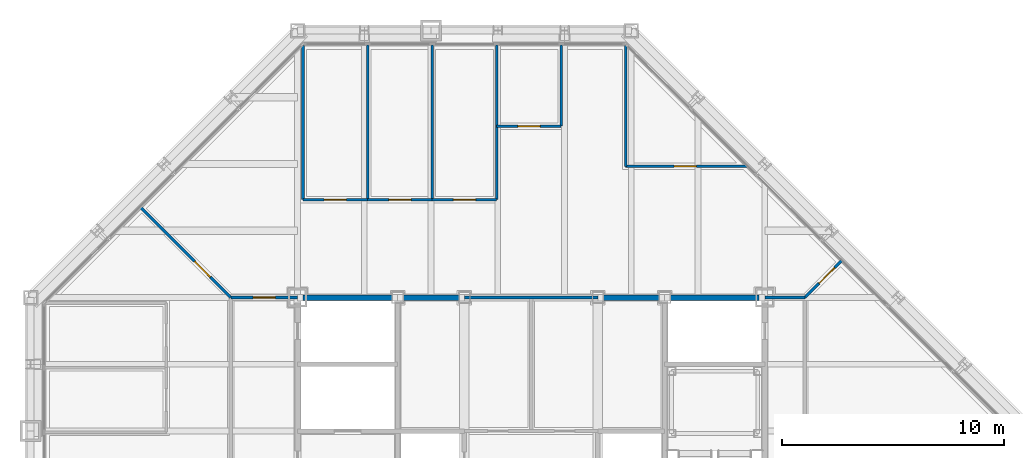
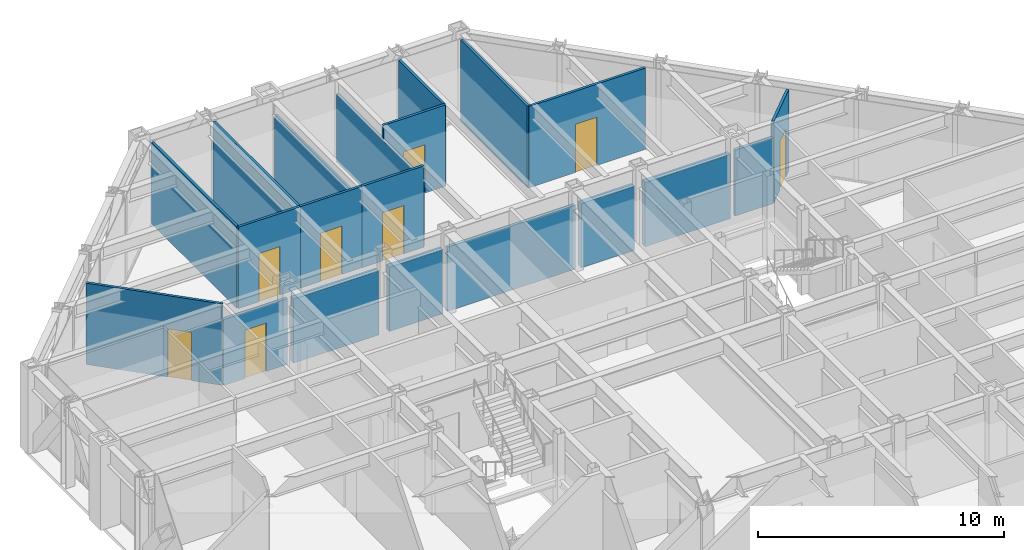
# One storey, part 13 of 16: 20 walls, 8 doors, 8 openings.
"""IFC4 building model written with IfcOpenShell, lengths in metres."""

from ifc_helpers import new_model, si_unit, direction, frame, frame_2d, origin, place, context, subcontext, project, spatial, rectangle, extrude, material, layer, layer_set, type_object, element, fill, save


model = new_model("IFC4")

# Units and contexts
model_context = context("Model", 3, precision=1e-05, world=origin(), true_north=direction((0.0, 1.0)))
body_context = subcontext(model_context, "Body", "Model", "MODEL_VIEW")
ifc_project = project(units=[si_unit("LENGTHUNIT", "METRE"), si_unit("AREAUNIT", "SQUARE_METRE"), si_unit("VOLUMEUNIT", "CUBIC_METRE"), si_unit("PLANEANGLEUNIT", "RADIAN"), si_unit("MASSUNIT", "GRAM", prefix="KILO")], contexts=[model_context])

# Site, building, storey
site_placement = place(None, origin())
site = spatial("IfcSite", under=ifc_project, at=site_placement, CompositionType="ELEMENT")
building_placement = place(site_placement, origin())
building = spatial("IfcBuilding", under=site, at=building_placement, Name="Chuquiago Exchange Tower", CompositionType="ELEMENT")
storey_placement = place(building_placement, frame((0.0, 0.0, 230.699951171875)))
storey = spatial("IfcBuildingStorey", under=building, at=storey_placement, Name="L51", CompositionType="ELEMENT", Elevation=230.699951171875)

# Walls
ifc_material_1 = material(Name="Concrete masonry, fully grouted", Category="masonry")
ifc_layer_1 = layer(ifc_material_1, 0.25)
ifc_layer_set_1 = layer_set([ifc_layer_1], Name="W1 core wall 250")
wall_type_1 = type_object("IfcWallType", Name="W1 core wall 250", PredefinedType="SOLIDWALL", material=ifc_layer_set_1)
wall_1_placement = place(storey_placement, frame((12.25, 33.0, 0.0), z_axis=(0.0, 0.0, 1.0), x_axis=(1.0, 0.0, 0.0)))
element("IfcWall", 1, at=wall_1_placement, inside=storey, type_object=wall_type_1, Name="CW-L51-11-0", PredefinedType="SOLIDWALL", context=body_context, shape_type="SweptSolid", body=[
    extrude(rectangle(XDim=4.0, YDim=0.25, at=frame_2d((2.0, 0.0))), origin(), (0.0, 0.0, 1.0), 3.181640625),
])
for number, where, z_axis, x_axis, name in (
    (2, (16.75, 33.0, 0.0), (0.0, 0.0, 1.0), (1.0, 0.0, 0.0), "CW-L51-11-1"),
    (3, (25.75, 33.0, 0.0), (0.0, 0.0, 1.0), (1.0, 0.0, 0.0), "CW-L51-12-0"),
):
    element("IfcWall", number, at=place(storey_placement, frame(where, z_axis=z_axis, x_axis=x_axis)), inside=storey, type_object=wall_type_1, Name=name, PredefinedType="SOLIDWALL", context=body_context, shape_type="SweptSolid", body=[
        extrude(rectangle(XDim=2.5, YDim=0.25, at=frame_2d((1.25, 0.0))), origin(), (0.0, 0.0, 1.0), 3.181640625),
    ])
wall_2_placement = place(storey_placement, frame((28.75, 33.0, 0.0), z_axis=(0.0, 0.0, 1.0), x_axis=(1.0, 0.0, 0.0)))
element("IfcWall", 4, at=wall_2_placement, inside=storey, type_object=wall_type_1, Name="CW-L51-12-1", PredefinedType="SOLIDWALL", context=body_context, shape_type="SweptSolid", body=[
    extrude(rectangle(XDim=4.0, YDim=0.25, at=frame_2d((2.0, 0.0))), origin(), (0.0, 0.0, 1.0), 3.181640625),
])

# Wall, opening, door
ifc_material_2 = material(Name="Gypsum board on steel studs, acoustic insulation", Category="steel")
ifc_layer_2 = layer(ifc_material_2, 0.14990234375)
ifc_layer_set_2 = layer_set([ifc_layer_2], Name="W11 corridor wall 150")
wall_type_2 = type_object("IfcWallType", Name="W11 corridor wall 150", PredefinedType="PARTITIONING", material=ifc_layer_set_2)
wall_3_placement = place(storey_placement, frame((9.0, 33.0, 0.0), z_axis=(0.0, 0.0, 1.0), x_axis=(1.0, 0.0, 0.0)))
wall_3 = element("IfcWall", 5, at=wall_3_placement, inside=storey, type_object=wall_type_2, Name="PW-L51-GWN0", PredefinedType="PARTITIONING", context=body_context, shape_type="SweptSolid", body=[
    extrude(rectangle(XDim=3.0, YDim=0.14990234375, at=frame_2d((1.5, 0.0))), origin(), (0.0, 0.0, 1.0), 3.2705078125),
])
opening_1_placement = place(wall_3_placement, frame((1.0, 0.0, 0.0)))
opening_1 = element("IfcOpeningElement", 6, at=opening_1_placement, cuts=wall_3, Name="Opening L51-034", PredefinedType="OPENING", context=body_context, shape_type="SweptSolid", body=[
    extrude(rectangle(XDim=1.0, YDim=2.39990234375, at=frame_2d((0.5, 1.199951171875))), frame((0.0, 0.0849609375, 0.0), z_axis=(0.0, -1.0, 0.0), x_axis=(1.0, 0.0, 0.0)), (0.0, 0.0, 1.0), 0.169921875),
])
ifc_material_3 = material(Name="Timber door, laminate faced", Category="wood")
door_type_1 = type_object("IfcDoorType", Name="D9 room door 1000x2400", OperationType="SINGLE_SWING_LEFT", PredefinedType="DOOR", material=ifc_material_3)
door_1_placement = place(opening_1_placement, origin())
door_1 = element("IfcDoor", 7, at=door_1_placement, inside=storey, type_object=door_type_1, Name="Team area door", OperationType="SINGLE_SWING_RIGHT", OverallHeight=2.39990234375, OverallWidth=1.0, PredefinedType="DOOR", context=body_context, shape_type="SweptSolid", body=[
    extrude(rectangle(XDim=1.0, YDim=2.39990234375, at=frame_2d((0.5, 1.199951171875))), frame((0.0, 0.02490234375, 0.0), z_axis=(0.0, -1.0, 0.0), x_axis=(1.0, 0.0, 0.0)), (0.0, 0.0, 1.0), 0.050048828125),
])
fill(opening_1, door_1)

# Walls
wall_4_placement = place(storey_placement, frame((33.0, 33.0, 0.0), z_axis=(0.0, 0.0, 1.0), x_axis=(1.0, 0.0, 0.0)))
element("IfcWall", 8, at=wall_4_placement, inside=storey, type_object=wall_type_2, Name="PW-L51-GEN0", PredefinedType="PARTITIONING", context=body_context, shape_type="SweptSolid", body=[
    extrude(rectangle(XDim=1.800048828125, YDim=0.14990234375, at=frame_2d((0.89990234375, 0.0))), origin(), (0.0, 0.0, 1.0), 3.2705078125),
])
ifc_material_4 = material(Name="Gypsum board on steel studs", Category="steel")
ifc_layer_3 = layer(ifc_material_4, 0.14990234375)
ifc_layer_set_3 = layer_set([ifc_layer_3], Name="W3 core partition 150")
wall_type_3 = type_object("IfcWallType", Name="W3 core partition 150", PredefinedType="PARTITIONING", material=ifc_layer_set_3)
wall_5_placement = place(storey_placement, frame((19.5, 33.0, 0.0), z_axis=(0.0, 0.0, 1.0), x_axis=(1.0, 0.0, 0.0)))
element("IfcWall", 9, at=wall_5_placement, inside=storey, type_object=wall_type_3, Name="CW-L51-TB", PredefinedType="PARTITIONING", context=body_context, shape_type="SweptSolid", body=[
    extrude(rectangle(XDim=6.0, YDim=0.14990234375, at=frame_2d((3.0, 0.0))), origin(), (0.0, 0.0, 1.0), 3.181640625),
])
ifc_material_5 = material(Name="Gypsum board on steel studs", Category="steel")
ifc_layer_4 = layer(ifc_material_5, 0.1201171875)
ifc_layer_set_4 = layer_set([ifc_layer_4], Name="W4 partition 120")
wall_type_4 = type_object("IfcWallType", Name="W4 partition 120", PredefinedType="PARTITIONING", material=ifc_layer_set_4)
wall_6_placement = place(storey_placement, frame((12.24853515625, 44.333984375, 0.0), z_axis=(0.0, 0.0, 1.0), x_axis=(0.0, -1.0, 0.0)))
element("IfcWall", 10, at=wall_6_placement, inside=storey, type_object=wall_type_4, Name="PW-L51-N01225", PredefinedType="PARTITIONING", context=body_context, shape_type="SweptSolid", body=[
    extrude(rectangle(XDim=6.93408203125, YDim=0.1201171875, at=frame_2d((3.467041015625, 0.0))), origin(), (0.0, 0.0, 1.0), 4.0400390625),
])
wall_7_placement = place(storey_placement, frame((15.149169921875, 44.347412109375, 0.0), z_axis=(0.0, 0.0, 1.0), x_axis=(0.0, -1.0, 0.0)))
element("IfcWall", 11, at=wall_7_placement, inside=storey, type_object=wall_type_4, Name="PW-L51-N01515", PredefinedType="PARTITIONING", context=body_context, shape_type="SweptSolid", body=[
    extrude(rectangle(XDim=6.947509765625, YDim=0.1201171875, at=frame_2d((3.4736328125, 0.0))), origin(), (0.0, 0.0, 1.0), 4.0400390625),
])
for number, where, z_axis, x_axis, name in (
    (12, (18.0498046875, 44.347412109375, 0.0), (0.0, 0.0, 1.0), (0.0, -1.0, 0.0), "PW-L51-N01805"),
    (13, (20.9501953125, 44.347412109375, 0.0), (0.0, 0.0, 1.0), (0.0, -1.0, 0.0), "PW-L51-N02095"),
):
    element("IfcWall", number, at=place(storey_placement, frame(where, z_axis=z_axis, x_axis=x_axis)), inside=storey, type_object=wall_type_4, Name=name, PredefinedType="PARTITIONING", context=body_context, shape_type="SweptSolid", body=[
        extrude(rectangle(XDim=6.947509765625, YDim=0.1201171875, at=frame_2d((3.4736328125, 0.0))), origin(), (0.0, 0.0, 1.0), 3.35693359375),
    ])
wall_8_placement = place(storey_placement, frame((23.850830078125, 44.347412109375, 0.0), z_axis=(0.0, 0.0, 1.0), x_axis=(0.0, -1.0, 0.0)))
element("IfcWall", 14, at=wall_8_placement, inside=storey, type_object=wall_type_4, Name="PW-L51-N02385", PredefinedType="PARTITIONING", context=body_context, shape_type="SweptSolid", body=[
    extrude(rectangle(XDim=3.6474609375, YDim=0.1201171875, at=frame_2d((1.82373046875, 0.0))), origin(), (0.0, 0.0, 1.0), 4.0400390625),
])
wall_9_placement = place(storey_placement, frame((26.75146484375, 44.333984375, 0.0), z_axis=(0.0, 0.0, 1.0), x_axis=(0.0, -1.0, 0.0)))
element("IfcWall", 15, at=wall_9_placement, inside=storey, type_object=wall_type_4, Name="PW-L51-N02675", PredefinedType="PARTITIONING", context=body_context, shape_type="SweptSolid", body=[
    extrude(rectangle(XDim=5.43408203125, YDim=0.1201171875, at=frame_2d((2.717041015625, 0.0))), origin(), (0.0, 0.0, 1.0), 4.0400390625),
])

# Wall, opening, door
wall_10_placement = place(storey_placement, frame((12.24853515625, 37.39990234375, 0.0), z_axis=(0.0, 0.0, 1.0), x_axis=(1.0, 0.0, 0.0)))
wall_10 = element("IfcWall", 16, at=wall_10_placement, inside=storey, type_object=wall_type_4, Name="PW-L51-NF01225", PredefinedType="PARTITIONING", context=body_context, shape_type="SweptSolid", body=[
    extrude(rectangle(XDim=2.900634765625, YDim=0.1201171875, at=frame_2d((1.4501953125, 0.0))), origin(), (0.0, 0.0, 1.0), 4.0400390625),
])
opening_2_placement = place(wall_10_placement, frame((0.9501953125, 0.0, 0.0)))
opening_2 = element("IfcOpeningElement", 17, at=opening_2_placement, cuts=wall_10, Name="Opening L51-024", PredefinedType="OPENING", context=body_context, shape_type="SweptSolid", body=[
    extrude(rectangle(XDim=1.0, YDim=2.39990234375, at=frame_2d((0.5, 1.199951171875))), frame((0.0, 0.070068359375, 0.0), z_axis=(0.0, -1.0, 0.0), x_axis=(1.0, 0.0, 0.0)), (0.0, 0.0, 1.0), 0.14013671875),
])
door_2_placement = place(opening_2_placement, origin())
door_2 = element("IfcDoor", 18, at=door_2_placement, inside=storey, type_object=door_type_1, Name="Research office door", OperationType="SINGLE_SWING_LEFT", OverallHeight=2.39990234375, OverallWidth=1.0, PredefinedType="DOOR", context=body_context, shape_type="SweptSolid", body=[
    extrude(rectangle(XDim=1.0, YDim=2.39990234375, at=frame_2d((0.5, 1.199951171875))), frame((0.0, 0.02490234375, 0.0), z_axis=(0.0, -1.0, 0.0), x_axis=(1.0, 0.0, 0.0)), (0.0, 0.0, 1.0), 0.050048828125),
])
fill(opening_2, door_2)

wall_11_placement = place(storey_placement, frame((15.149169921875, 37.39990234375, 0.0), z_axis=(0.0, 0.0, 1.0), x_axis=(1.0, 0.0, 0.0)))
wall_11 = element("IfcWall", 19, at=wall_11_placement, inside=storey, type_object=wall_type_4, Name="PW-L51-NF01515", PredefinedType="PARTITIONING", context=body_context, shape_type="SweptSolid", body=[
    extrude(rectangle(XDim=2.900634765625, YDim=0.1201171875, at=frame_2d((1.4501953125, 0.0))), origin(), (0.0, 0.0, 1.0), 4.0400390625),
])
opening_3_placement = place(wall_11_placement, frame((0.9501953125, 0.0, 0.0)))
opening_3 = element("IfcOpeningElement", 20, at=opening_3_placement, cuts=wall_11, Name="Opening L51-025", PredefinedType="OPENING", context=body_context, shape_type="SweptSolid", body=[
    extrude(rectangle(XDim=1.0, YDim=2.39990234375, at=frame_2d((0.5, 1.199951171875))), frame((0.0, 0.070068359375, 0.0), z_axis=(0.0, -1.0, 0.0), x_axis=(1.0, 0.0, 0.0)), (0.0, 0.0, 1.0), 0.14013671875),
])
door_3_placement = place(opening_3_placement, origin())
door_3 = element("IfcDoor", 21, at=door_3_placement, inside=storey, type_object=door_type_1, Name="Research office door", OperationType="SINGLE_SWING_LEFT", OverallHeight=2.39990234375, OverallWidth=1.0, PredefinedType="DOOR", context=body_context, shape_type="SweptSolid", body=[
    extrude(rectangle(XDim=1.0, YDim=2.39990234375, at=frame_2d((0.5, 1.199951171875))), frame((0.0, 0.02490234375, 0.0), z_axis=(0.0, -1.0, 0.0), x_axis=(1.0, 0.0, 0.0)), (0.0, 0.0, 1.0), 0.050048828125),
])
fill(opening_3, door_3)

wall_12_placement = place(storey_placement, frame((18.0498046875, 37.39990234375, 0.0), z_axis=(0.0, 0.0, 1.0), x_axis=(1.0, 0.0, 0.0)))
wall_12 = element("IfcWall", 22, at=wall_12_placement, inside=storey, type_object=wall_type_4, Name="PW-L51-NF01805", PredefinedType="PARTITIONING", context=body_context, shape_type="SweptSolid", body=[
    extrude(rectangle(XDim=2.900390625, YDim=0.1201171875, at=frame_2d((1.4501953125, 0.0))), origin(), (0.0, 0.0, 1.0), 4.0400390625),
])
opening_4_placement = place(wall_12_placement, frame((0.9501953125, 0.0, 0.0)))
opening_4 = element("IfcOpeningElement", 23, at=opening_4_placement, cuts=wall_12, Name="Opening L51-026", PredefinedType="OPENING", context=body_context, shape_type="SweptSolid", body=[
    extrude(rectangle(XDim=1.0, YDim=2.39990234375, at=frame_2d((0.5, 1.199951171875))), frame((0.0, 0.070068359375, 0.0), z_axis=(0.0, -1.0, 0.0), x_axis=(1.0, 0.0, 0.0)), (0.0, 0.0, 1.0), 0.14013671875),
])
door_4_placement = place(opening_4_placement, origin())
door_4 = element("IfcDoor", 24, at=door_4_placement, inside=storey, type_object=door_type_1, Name="Research office door", OperationType="SINGLE_SWING_RIGHT", OverallHeight=2.39990234375, OverallWidth=1.0, PredefinedType="DOOR", context=body_context, shape_type="SweptSolid", body=[
    extrude(rectangle(XDim=1.0, YDim=2.39990234375, at=frame_2d((0.5, 1.199951171875))), frame((0.0, 0.02490234375, 0.0), z_axis=(0.0, -1.0, 0.0), x_axis=(1.0, 0.0, 0.0)), (0.0, 0.0, 1.0), 0.050048828125),
])
fill(opening_4, door_4)

wall_13_placement = place(storey_placement, frame((20.9501953125, 40.699951171875, 0.0), z_axis=(0.0, 0.0, 1.0), x_axis=(1.0, 0.0, 0.0)))
wall_13 = element("IfcWall", 25, at=wall_13_placement, inside=storey, type_object=wall_type_4, Name="PW-L51-NF02095", PredefinedType="PARTITIONING", context=body_context, shape_type="SweptSolid", body=[
    extrude(rectangle(XDim=2.900634765625, YDim=0.1201171875, at=frame_2d((1.4501953125, 0.0))), origin(), (0.0, 0.0, 1.0), 4.0400390625),
])
opening_5_placement = place(wall_13_placement, frame((0.9501953125, 0.0, 0.0)))
opening_5 = element("IfcOpeningElement", 26, at=opening_5_placement, cuts=wall_13, Name="Opening L51-027", PredefinedType="OPENING", context=body_context, shape_type="SweptSolid", body=[
    extrude(rectangle(XDim=1.0, YDim=2.39990234375, at=frame_2d((0.5, 1.199951171875))), frame((0.0, 0.070068359375, 0.0), z_axis=(0.0, -1.0, 0.0), x_axis=(1.0, 0.0, 0.0)), (0.0, 0.0, 1.0), 0.14013671875),
])
ifc_material_6 = material(Name="Timber frame door, full height glazed panel", Category="wood")
door_type_2 = type_object("IfcDoorType", Name="D14 glazed meeting room door 1000x2400", OperationType="SINGLE_SWING_LEFT", PredefinedType="DOOR", material=ifc_material_6)
door_5_placement = place(opening_5_placement, origin())
door_5 = element("IfcDoor", 27, at=door_5_placement, inside=storey, type_object=door_type_2, Name="Focus room door", OperationType="SINGLE_SWING_LEFT", OverallHeight=2.39990234375, OverallWidth=1.0, PredefinedType="DOOR", context=body_context, shape_type="SweptSolid", body=[
    extrude(rectangle(XDim=1.0, YDim=2.39990234375, at=frame_2d((0.5, 1.199951171875))), frame((0.0, 0.02490234375, 0.0), z_axis=(0.0, -1.0, 0.0), x_axis=(1.0, 0.0, 0.0)), (0.0, 0.0, 1.0), 0.050048828125),
])
fill(opening_5, door_5)

wall_14_placement = place(storey_placement, frame((26.75146484375, 38.89990234375, 0.0), z_axis=(0.0, 0.0, 1.0), x_axis=(1.0, 0.0, 0.0)))
wall_14 = element("IfcWall", 28, at=wall_14_placement, inside=storey, type_object=wall_type_4, Name="PW-L51-NF02675", PredefinedType="PARTITIONING", context=body_context, shape_type="SweptSolid", body=[
    extrude(rectangle(XDim=5.463134765625, YDim=0.1201171875, at=frame_2d((2.7314453125, 0.0))), origin(), (0.0, 0.0, 1.0), 4.0400390625),
])
opening_6_placement = place(wall_14_placement, frame((2.17919921875, 0.0, 0.0)))
opening_6 = element("IfcOpeningElement", 29, at=opening_6_placement, cuts=wall_14, Name="Opening L51-028", PredefinedType="OPENING", context=body_context, shape_type="SweptSolid", body=[
    extrude(rectangle(XDim=1.0, YDim=2.39990234375, at=frame_2d((0.5, 1.199951171875))), frame((0.0, 0.070068359375, 0.0), z_axis=(0.0, -1.0, 0.0), x_axis=(1.0, 0.0, 0.0)), (0.0, 0.0, 1.0), 0.14013671875),
])
door_6_placement = place(opening_6_placement, origin())
door_6 = element("IfcDoor", 30, at=door_6_placement, inside=storey, type_object=door_type_2, Name="Meeting room door", OperationType="SINGLE_SWING_RIGHT", OverallHeight=2.39990234375, OverallWidth=1.0, PredefinedType="DOOR", context=body_context, shape_type="SweptSolid", body=[
    extrude(rectangle(XDim=1.0, YDim=2.39990234375, at=frame_2d((0.5, 1.199951171875))), frame((0.0, 0.02490234375, 0.0), z_axis=(0.0, -1.0, 0.0), x_axis=(1.0, 0.0, 0.0)), (0.0, 0.0, 1.0), 0.050048828125),
])
fill(opening_6, door_6)

wall_15_placement = place(storey_placement, frame((34.800048828125, 33.0, 0.0), z_axis=(0.0, 0.0, 1.0), x_axis=(0.707106781187, 0.707106781187, 0.0)))
wall_15 = element("IfcWall", 31, at=wall_15_placement, inside=storey, type_object=wall_type_4, Name="PW-L51-QNE", PredefinedType="PARTITIONING", context=body_context, shape_type="SweptSolid", body=[
    extrude(rectangle(XDim=2.337890625, YDim=0.1201171875, at=frame_2d((1.1689453125, 0.0))), origin(), (0.0, 0.0, 1.0), 4.0400390625),
])
opening_7_placement = place(wall_15_placement, frame((0.89990234375, 0.0, 0.0)))
opening_7 = element("IfcOpeningElement", 32, at=opening_7_placement, cuts=wall_15, Name="Opening L51-037", PredefinedType="OPENING", context=body_context, shape_type="SweptSolid", body=[
    extrude(rectangle(XDim=1.0, YDim=2.39990234375, at=frame_2d((0.5, 1.199951171875))), frame((0.0, 0.070068359375, 0.0), z_axis=(0.0, -1.0, 0.0), x_axis=(1.0, 0.0, 0.0)), (0.0, 0.0, 1.0), 0.14013671875),
])
door_7_placement = place(opening_7_placement, frame((1.0, 0.0, 0.0), z_axis=(0.0, 0.0, 1.0), x_axis=(-1.0, 0.0, 0.0)))
door_7 = element("IfcDoor", 33, at=door_7_placement, inside=storey, type_object=door_type_1, Name="Team area door", OperationType="SINGLE_SWING_LEFT", OverallHeight=2.39990234375, OverallWidth=1.0, PredefinedType="DOOR", context=body_context, shape_type="SweptSolid", body=[
    extrude(rectangle(XDim=1.0, YDim=2.39990234375, at=frame_2d((0.5, 1.199951171875))), frame((0.0, 0.02490234375, 0.0), z_axis=(0.0, -1.0, 0.0), x_axis=(1.0, 0.0, 0.0)), (0.0, 0.0, 1.0), 0.050048828125),
])
fill(opening_7, door_7)

wall_16_placement = place(storey_placement, frame((9.0, 33.0, 0.0), z_axis=(0.0, 0.0, 1.0), x_axis=(-0.707106781187, 0.707106781187, 0.0)))
wall_16 = element("IfcWall", 34, at=wall_16_placement, inside=storey, type_object=wall_type_4, Name="PW-L51-QNW", PredefinedType="PARTITIONING", context=body_context, shape_type="SweptSolid", body=[
    extrude(rectangle(XDim=5.731689453125, YDim=0.1201171875, at=frame_2d((2.86572265625, 0.0))), origin(), (0.0, 0.0, 1.0), 4.0400390625),
])
opening_8_placement = place(wall_16_placement, frame((1.300048828125, 0.0, 0.0)))
opening_8 = element("IfcOpeningElement", 35, at=opening_8_placement, cuts=wall_16, Name="Opening L51-038", PredefinedType="OPENING", context=body_context, shape_type="SweptSolid", body=[
    extrude(rectangle(XDim=1.0, YDim=2.39990234375, at=frame_2d((0.5, 1.199951171875))), frame((0.0, 0.070068359375, 0.0), z_axis=(0.0, -1.0, 0.0), x_axis=(1.0, 0.0, 0.0)), (0.0, 0.0, 1.0), 0.14013671875),
])
door_8_placement = place(opening_8_placement, frame((1.0, 0.0, 0.0), z_axis=(0.0, 0.0, 1.0), x_axis=(-1.0, 0.0, 0.0)))
door_8 = element("IfcDoor", 36, at=door_8_placement, inside=storey, type_object=door_type_1, Name="Team area door", OperationType="SINGLE_SWING_RIGHT", OverallHeight=2.39990234375, OverallWidth=1.0, PredefinedType="DOOR", context=body_context, shape_type="SweptSolid", body=[
    extrude(rectangle(XDim=1.0, YDim=2.39990234375, at=frame_2d((0.5, 1.199951171875))), frame((0.0, 0.02490234375, 0.0), z_axis=(0.0, -1.0, 0.0), x_axis=(1.0, 0.0, 0.0)), (0.0, 0.0, 1.0), 0.050048828125),
])
fill(opening_8, door_8)

save(model, "model.ifc")
